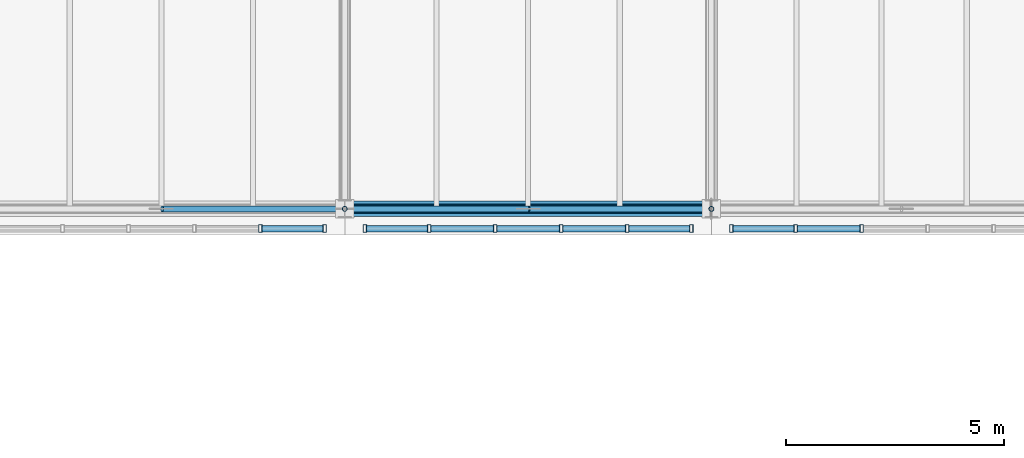
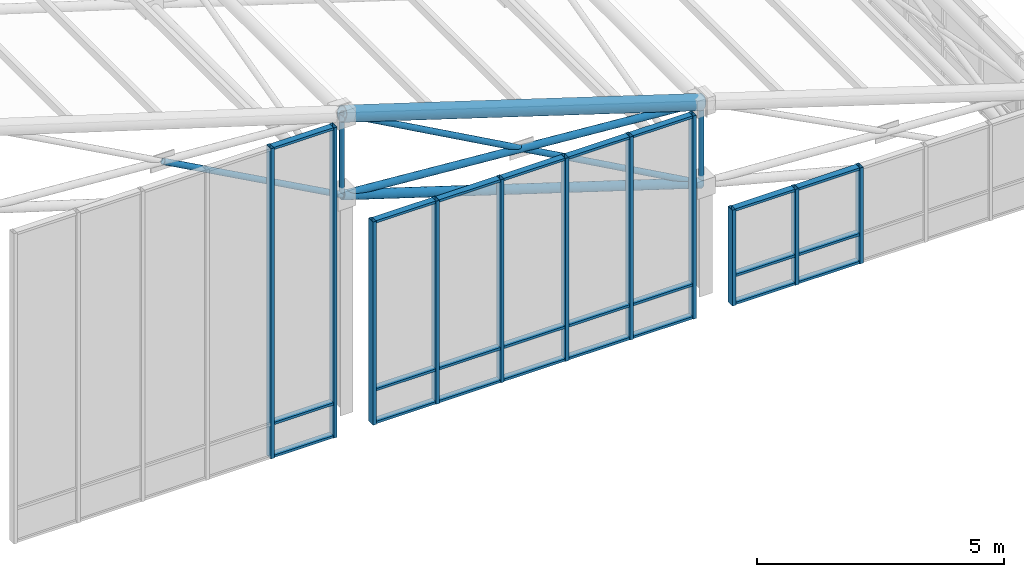
# One storey, part 24 of 144: 43 members, 3 elements without a shape of their own.
"""IFC4 building model written with IfcOpenShell, lengths in metres."""

from ifc_helpers import new_model, si_unit, direction, frame, origin, origin_2d, place, context, subcontext, project, spatial, hollow_rectangle, hollow_circle, extrude, material, layer, layer_set, material_profile, profile_set, type_object, element, aggregate, save


model = new_model("IFC4")

# Units and contexts
model_context = context("Model", 3, precision=1e-05, world=origin(), true_north=direction((0.0, 1.0)))
body_context = subcontext(model_context, "Body", "Model", "MODEL_VIEW")
ifc_project = project(units=[si_unit("LENGTHUNIT", "METRE"), si_unit("AREAUNIT", "SQUARE_METRE"), si_unit("VOLUMEUNIT", "CUBIC_METRE"), si_unit("PLANEANGLEUNIT", "RADIAN"), si_unit("MASSUNIT", "GRAM", prefix="KILO")], contexts=[model_context])

# Site, building, storey
site_placement = place(None, origin())
site = spatial("IfcSite", under=ifc_project, at=site_placement, CompositionType="ELEMENT")
building_placement = place(site_placement, origin())
building = spatial("IfcBuilding", under=site, at=building_placement, Name="Zayran Congress Hotel", CompositionType="ELEMENT")
storey_placement = place(building_placement, frame((0.0, 0.0, 19.199951171875)))
storey = spatial("IfcBuildingStorey", under=building, at=storey_placement, Name="L04", CompositionType="ELEMENT", Elevation=19.199951171875)

# Members
ifc_material_1 = material(Name="Steel S355", Category="steel")
ifc_material_profile_1 = material_profile(ifc_material_1, hollow_circle(Radius=0.177734375, WallThickness=0.01611328125, at=origin_2d()), Name="CHS 355.6x16")
ifc_profile_set_1 = profile_set([ifc_material_profile_1], Name="Steel S355")
member_type_1 = type_object("IfcMemberType", Name="TP-SF-TC1", PredefinedType="CHORD", material=ifc_profile_set_1)
member_1_placement = place(storey_placement, frame((75.60009765625, 68.199951171875, 7.302001953125), z_axis=(0.953670596398, 0.0, -0.300852777228), x_axis=(0.0, 1.0, 0.0)))
element("IfcMember", 1, at=member_1_placement, inside=storey, type_object=member_type_1, Name="Space Frame Top Chord X 437", PredefinedType="CHORD", context=body_context, shape_type="SweptSolid", body=[
    extrude(hollow_circle(Radius=0.177734375, WallThickness=0.01611328125, at=origin_2d()), origin(), (0.0, 0.0, 1.0), 8.807861328125),
])
ifc_material_profile_2 = material_profile(ifc_material_1, hollow_circle(Radius=0.109619140625, WallThickness=0.010009765625, at=origin_2d()), Name="CHS 219.1x10")
ifc_profile_set_2 = profile_set([ifc_material_profile_2], Name="Steel S355")
member_type_2 = type_object("IfcMemberType", Name="TP-SF-BC1", PredefinedType="CHORD", material=ifc_profile_set_2)
member_2_placement = place(storey_placement, frame((75.60009765625, 68.199951171875, 5.300048828125), z_axis=(0.953670596398, 0.0, -0.300852777228), x_axis=(0.0, 1.0, 0.0)))
element("IfcMember", 2, at=member_2_placement, inside=storey, type_object=member_type_2, Name="Space Frame Bottom Chord X 438", PredefinedType="CHORD", context=body_context, shape_type="SweptSolid", body=[
    extrude(hollow_circle(Radius=0.109619140625, WallThickness=0.010009765625, at=origin_2d()), origin(), (0.0, 0.0, 1.0), 8.807861328125),
])
ifc_material_profile_3 = material_profile(ifc_material_1, hollow_circle(Radius=0.084228515625, WallThickness=0.008056640625, at=origin_2d()), Name="CHS 168.3x8")
ifc_profile_set_3 = profile_set([ifc_material_profile_3], Name="Steel S355")
member_type_3 = type_object("IfcMemberType", Name="TP-SF-DG1", PredefinedType="BRACE", material=ifc_profile_set_3)
member_3_placement = place(storey_placement, frame((75.60009765625, 68.199951171875, 5.300048828125), z_axis=(0.997038098414, 0.0, -0.076909234238), x_axis=(0.0, 1.0, 0.0)))
element("IfcMember", 3, at=member_3_placement, inside=storey, type_object=member_type_3, Name="Space Frame Web Diagonal X 439", PredefinedType="BRACE", context=body_context, shape_type="SweptSolid", body=[
    extrude(hollow_circle(Radius=0.084228515625, WallThickness=0.008056640625, at=origin_2d()), origin(), (0.0, 0.0, 1.0), 8.4248046875),
])
ifc_material_profile_4 = material_profile(ifc_material_1, hollow_circle(Radius=0.06982421875, WallThickness=0.00634765625, at=origin_2d()), Name="CHS 139.7x6.3")
ifc_profile_set_4 = profile_set([ifc_material_profile_4], Name="Steel S355")
member_type_4 = type_object("IfcMemberType", Name="TP-SF-DG2", PredefinedType="BRACE", material=ifc_profile_set_4)
member_4_placement = place(storey_placement, frame((71.4130859375, 68.199951171875, 7.59375), z_axis=(0.877024445647, 0.0, -0.480445753169), x_axis=(0.0, 1.0, 0.0)))
element("IfcMember", 4, at=member_4_placement, inside=storey, type_object=member_type_4, Name="Space Frame Counter Diagonal X Lower 62", PredefinedType="BRACE", context=body_context, shape_type="SweptSolid", body=[
    extrude(hollow_circle(Radius=0.06982421875, WallThickness=0.00634765625, at=origin_2d()), origin(), (0.0, 0.0, 1.0), 4.774169921875),
])
member_5_placement = place(storey_placement, frame((75.60009765625, 68.199951171875, 7.302001953125), z_axis=(0.874810980482, 0.0, -0.484464393355), x_axis=(0.0, 1.0, 0.0)))
element("IfcMember", 5, at=member_5_placement, inside=storey, type_object=member_type_4, Name="Space Frame Counter Diagonal X Upper 440", PredefinedType="BRACE", context=body_context, shape_type="SweptSolid", body=[
    extrude(hollow_circle(Radius=0.06982421875, WallThickness=0.00634765625, at=origin_2d()), origin(), (0.0, 0.0, 1.0), 4.785888671875),
])
member_6_placement = place(storey_placement, frame((79.81298828125, 68.199951171875, 4.96875), z_axis=(0.874822952575, 0.0, -0.484442774379), x_axis=(0.0, 1.0, 0.0)))
element("IfcMember", 6, at=member_6_placement, inside=storey, type_object=member_type_4, Name="Space Frame Counter Diagonal X Lower 69", PredefinedType="BRACE", context=body_context, shape_type="SweptSolid", body=[
    extrude(hollow_circle(Radius=0.06982421875, WallThickness=0.00634765625, at=origin_2d()), origin(), (0.0, 0.0, 1.0), 4.7861328125),
])
ifc_material_profile_5 = material_profile(ifc_material_1, hollow_circle(Radius=0.05712890625, WallThickness=0.00634765625, at=origin_2d()), Name="CHS 114.3x6.3")
ifc_profile_set_5 = profile_set([ifc_material_profile_5], Name="Steel S355")
member_type_5 = type_object("IfcMemberType", Name="TP-SF-DG3", PredefinedType="BRACE", material=ifc_profile_set_5)
for number, where, z_axis, x_axis, name in (
    (7, (75.60009765625, 68.199951171875, 5.300048828125), (0.0, 0.0, 1.0), (0.0, 1.0, 0.0), "Space Frame Web Strut 444"),
    (8, (84.0, 68.199951171875, 2.650146484375), (0.0, 0.0, 1.0), (0.0, 1.0, 0.0), "Space Frame Web Strut 497"),
):
    element("IfcMember", number, at=place(storey_placement, frame(where, z_axis=z_axis, x_axis=x_axis)), inside=storey, type_object=member_type_5, Name=name, PredefinedType="BRACE", context=body_context, shape_type="SweptSolid", body=[
        extrude(hollow_circle(Radius=0.05712890625, WallThickness=0.00634765625, at=origin_2d()), origin(), (0.0, 0.0, 1.0), 2.001953125),
    ])

# Curtain wall, members
ifc_material_2 = material(Name="Anodised aluminium and low-E insulated glass", Category="aluminium")
ifc_layer_1 = layer(ifc_material_2, 0.179931640625)
ifc_layer_set_1 = layer_set([ifc_layer_1], Name="Anodised aluminium and low-E insulated glass")
curtain_wall_type_1 = type_object("IfcCurtainWallType", Name="CW-V1CL-L04-CW-12-7560-7670", PredefinedType="USERDEFINED", material=ifc_layer_set_1)
curtain_wall_1_placement = place(storey_placement, origin())
curtain_wall_1 = element("IfcCurtainWall", 9, at=curtain_wall_1_placement, inside=storey, type_object=curtain_wall_type_1, Name="CW-V1CLS-7", ObjectType="CURTAIN WALL", PredefinedType="USERDEFINED")
ifc_material_3 = material(Name="Anodised aluminium framing", Category="aluminium")
ifc_material_profile_6 = material_profile(ifc_material_3, hollow_rectangle(XDim=0.080078125, YDim=0.179931640625, WallThickness=0.0048828125, at=origin_2d()), Name="RHS 180x80x5")
ifc_profile_set_6 = profile_set([ifc_material_profile_6], Name="Anodised aluminium framing")
member_type_6 = type_object("IfcMemberType", Name="TP-CWM-01", PredefinedType="MULLION", material=ifc_profile_set_6)
member_7_placement = place(storey_placement, frame((73.66796875, 67.75, -0.219970703125), z_axis=(0.0, 0.0, 1.0), x_axis=(1.0, 0.0, 0.0)))
member_7 = element("IfcMember", 10, at=member_7_placement, type_object=member_type_6, Name="CW-V1CLS-7-M04", PredefinedType="MULLION", context=body_context, shape_type="SweptSolid", body=[
    extrude(hollow_rectangle(XDim=0.080078125, YDim=0.179931640625, WallThickness=0.0048828125, at=origin_2d()), origin(), (0.0, 0.0, 1.0), 7.669921875),
])
member_8_placement = place(storey_placement, frame((75.139892578125, 67.75, -0.219970703125), z_axis=(0.0, 0.0, 1.0), x_axis=(1.0, 0.0, 0.0)))
member_8 = element("IfcMember", 11, at=member_8_placement, type_object=member_type_6, Name="CW-V1CLS-7-M05", PredefinedType="MULLION", context=body_context, shape_type="SweptSolid", body=[
    extrude(hollow_rectangle(XDim=0.080078125, YDim=0.179931640625, WallThickness=0.0048828125, at=origin_2d()), origin(), (0.0, 0.0, 1.0), 7.669921875),
])

ifc_layer_2 = layer(ifc_material_2, 0.179931640625)
ifc_layer_set_2 = layer_set([ifc_layer_2], Name="Anodised aluminium and low-E insulated glass")
curtain_wall_type_2 = type_object("IfcCurtainWallType", Name="CW-V1CL-L04-CW-13-7560-5020", PredefinedType="USERDEFINED", material=ifc_layer_set_2)
curtain_wall_2_placement = place(storey_placement, origin())
curtain_wall_2 = element("IfcCurtainWall", 12, at=curtain_wall_2_placement, inside=storey, type_object=curtain_wall_type_2, Name="CW-V1CLS-8", ObjectType="CURTAIN WALL", PredefinedType="USERDEFINED")
member_9_placement = place(storey_placement, frame((76.06005859375, 67.75, -0.219970703125), z_axis=(0.0, 0.0, 1.0), x_axis=(1.0, 0.0, 0.0)))
member_9 = element("IfcMember", 13, at=member_9_placement, type_object=member_type_6, Name="CW-V1CLS-8-M00", PredefinedType="MULLION", context=body_context, shape_type="SweptSolid", body=[
    extrude(hollow_rectangle(XDim=0.080078125, YDim=0.179931640625, WallThickness=0.0048828125, at=origin_2d()), origin(), (0.0, 0.0, 1.0), 5.02001953125),
])
member_10_placement = place(storey_placement, frame((77.531982421875, 67.75, -0.219970703125), z_axis=(0.0, 0.0, 1.0), x_axis=(1.0, 0.0, 0.0)))
member_10 = element("IfcMember", 14, at=member_10_placement, type_object=member_type_6, Name="CW-V1CLS-8-M01", PredefinedType="MULLION", context=body_context, shape_type="SweptSolid", body=[
    extrude(hollow_rectangle(XDim=0.080078125, YDim=0.179931640625, WallThickness=0.0048828125, at=origin_2d()), origin(), (0.0, 0.0, 1.0), 5.02001953125),
])
member_11_placement = place(storey_placement, frame((79.0439453125, 67.75, -0.219970703125), z_axis=(0.0, 0.0, 1.0), x_axis=(1.0, 0.0, 0.0)))
member_11 = element("IfcMember", 15, at=member_11_placement, type_object=member_type_6, Name="CW-V1CLS-8-M02", PredefinedType="MULLION", context=body_context, shape_type="SweptSolid", body=[
    extrude(hollow_rectangle(XDim=0.080078125, YDim=0.179931640625, WallThickness=0.0048828125, at=origin_2d()), origin(), (0.0, 0.0, 1.0), 5.02001953125),
])
member_12_placement = place(storey_placement, frame((80.555908203125, 67.75, -0.219970703125), z_axis=(0.0, 0.0, 1.0), x_axis=(1.0, 0.0, 0.0)))
member_12 = element("IfcMember", 16, at=member_12_placement, type_object=member_type_6, Name="CW-V1CLS-8-M03", PredefinedType="MULLION", context=body_context, shape_type="SweptSolid", body=[
    extrude(hollow_rectangle(XDim=0.080078125, YDim=0.179931640625, WallThickness=0.0048828125, at=origin_2d()), origin(), (0.0, 0.0, 1.0), 5.02001953125),
])
member_13_placement = place(storey_placement, frame((82.068115234375, 67.75, -0.219970703125), z_axis=(0.0, 0.0, 1.0), x_axis=(1.0, 0.0, 0.0)))
member_13 = element("IfcMember", 17, at=member_13_placement, type_object=member_type_6, Name="CW-V1CLS-8-M04", PredefinedType="MULLION", context=body_context, shape_type="SweptSolid", body=[
    extrude(hollow_rectangle(XDim=0.080078125, YDim=0.179931640625, WallThickness=0.0048828125, at=origin_2d()), origin(), (0.0, 0.0, 1.0), 5.02001953125),
])
member_14_placement = place(storey_placement, frame((83.5400390625, 67.75, -0.219970703125), z_axis=(0.0, 0.0, 1.0), x_axis=(1.0, 0.0, 0.0)))
member_14 = element("IfcMember", 18, at=member_14_placement, type_object=member_type_6, Name="CW-V1CLS-8-M05", PredefinedType="MULLION", context=body_context, shape_type="SweptSolid", body=[
    extrude(hollow_rectangle(XDim=0.080078125, YDim=0.179931640625, WallThickness=0.0048828125, at=origin_2d()), origin(), (0.0, 0.0, 1.0), 5.02001953125),
])

ifc_layer_3 = layer(ifc_material_2, 0.179931640625)
ifc_layer_set_3 = layer_set([ifc_layer_3], Name="Anodised aluminium and low-E insulated glass")
curtain_wall_type_3 = type_object("IfcCurtainWallType", Name="CW-V1CL-L04-CW-11-7560-2370", PredefinedType="USERDEFINED", material=ifc_layer_set_3)
curtain_wall_3_placement = place(storey_placement, origin())
curtain_wall_3 = element("IfcCurtainWall", 19, at=curtain_wall_3_placement, inside=storey, type_object=curtain_wall_type_3, Name="CW-V1CLS-9", ObjectType="CURTAIN WALL", PredefinedType="USERDEFINED")
member_15_placement = place(storey_placement, frame((84.4599609375, 67.75, -0.219970703125), z_axis=(0.0, 0.0, 1.0), x_axis=(1.0, 0.0, 0.0)))
member_15 = element("IfcMember", 20, at=member_15_placement, type_object=member_type_6, Name="CW-V1CLS-9-M00", PredefinedType="MULLION", context=body_context, shape_type="SweptSolid", body=[
    extrude(hollow_rectangle(XDim=0.080078125, YDim=0.179931640625, WallThickness=0.0048828125, at=origin_2d()), origin(), (0.0, 0.0, 1.0), 2.3701171875),
])
member_16_placement = place(storey_placement, frame((85.931884765625, 67.75, -0.219970703125), z_axis=(0.0, 0.0, 1.0), x_axis=(1.0, 0.0, 0.0)))
member_16 = element("IfcMember", 21, at=member_16_placement, type_object=member_type_6, Name="CW-V1CLS-9-M01", PredefinedType="MULLION", context=body_context, shape_type="SweptSolid", body=[
    extrude(hollow_rectangle(XDim=0.080078125, YDim=0.179931640625, WallThickness=0.0048828125, at=origin_2d()), origin(), (0.0, 0.0, 1.0), 2.3701171875),
])
member_17_placement = place(storey_placement, frame((87.444091796875, 67.75, -0.219970703125), z_axis=(0.0, 0.0, 1.0), x_axis=(1.0, 0.0, 0.0)))
member_17 = element("IfcMember", 22, at=member_17_placement, type_object=member_type_6, Name="CW-V1CLS-9-M02", PredefinedType="MULLION", context=body_context, shape_type="SweptSolid", body=[
    extrude(hollow_rectangle(XDim=0.080078125, YDim=0.179931640625, WallThickness=0.0048828125, at=origin_2d()), origin(), (0.0, 0.0, 1.0), 2.3701171875),
])

# Member
ifc_material_profile_7 = material_profile(ifc_material_3, hollow_rectangle(XDim=0.06005859375, YDim=0.14990234375, WallThickness=0.00390625, at=origin_2d()), Name="RHS 150x60x4")
ifc_profile_set_7 = profile_set([ifc_material_profile_7], Name="Anodised aluminium framing")
member_type_7 = type_object("IfcMemberType", Name="TP-CWT-01", PredefinedType="USERDEFINED", material=ifc_profile_set_7)
member_18_placement = place(storey_placement, frame((73.7080078125, 67.75, -0.18994140625), z_axis=(1.0, 0.0, 0.0), x_axis=(0.0, 0.0, 1.0)))
member_18 = element("IfcMember", 23, at=member_18_placement, type_object=member_type_7, Name="CW-V1CLS-7-T04-0", ObjectType="TRANSOM", PredefinedType="USERDEFINED", context=body_context, shape_type="SweptSolid", body=[
    extrude(hollow_rectangle(XDim=0.06005859375, YDim=0.14990234375, WallThickness=0.00390625, at=origin_2d()), origin(), (0.0, 0.0, 1.0), 1.39208984375),
])

member_19_placement = place(storey_placement, frame((73.7080078125, 67.75, 0.6201171875), z_axis=(1.0, 0.0, 0.0), x_axis=(0.0, 0.0, 1.0)))
member_19 = element("IfcMember", 24, at=member_19_placement, type_object=member_type_7, Name="CW-V1CLS-7-T04-1", ObjectType="TRANSOM", PredefinedType="USERDEFINED", context=body_context, shape_type="SweptSolid", body=[
    extrude(hollow_rectangle(XDim=0.06005859375, YDim=0.14990234375, WallThickness=0.00390625, at=origin_2d()), origin(), (0.0, 0.0, 1.0), 1.39208984375),
])

member_20_placement = place(storey_placement, frame((73.7080078125, 67.75, 7.420166015625), z_axis=(1.0, 0.0, 0.0), x_axis=(0.0, 0.0, 1.0)))
member_20 = element("IfcMember", 25, at=member_20_placement, type_object=member_type_7, Name="CW-V1CLS-7-T04-2", ObjectType="TRANSOM", PredefinedType="USERDEFINED", context=body_context, shape_type="SweptSolid", body=[
    extrude(hollow_rectangle(XDim=0.06005859375, YDim=0.14990234375, WallThickness=0.00390625, at=origin_2d()), origin(), (0.0, 0.0, 1.0), 1.39208984375),
])

aggregate(curtain_wall_1, [member_7, member_8, member_18, member_19, member_20])

member_21_placement = place(storey_placement, frame((76.10009765625, 67.75, -0.18994140625), z_axis=(1.0, 0.0, 0.0), x_axis=(0.0, 0.0, 1.0)))
member_21 = element("IfcMember", 26, at=member_21_placement, type_object=member_type_7, Name="CW-V1CLS-8-T00-0", ObjectType="TRANSOM", PredefinedType="USERDEFINED", context=body_context, shape_type="SweptSolid", body=[
    extrude(hollow_rectangle(XDim=0.06005859375, YDim=0.14990234375, WallThickness=0.00390625, at=origin_2d()), origin(), (0.0, 0.0, 1.0), 1.391845703125),
])

member_22_placement = place(storey_placement, frame((76.10009765625, 67.75, 0.6201171875), z_axis=(1.0, 0.0, 0.0), x_axis=(0.0, 0.0, 1.0)))
member_22 = element("IfcMember", 27, at=member_22_placement, type_object=member_type_7, Name="CW-V1CLS-8-T00-1", ObjectType="TRANSOM", PredefinedType="USERDEFINED", context=body_context, shape_type="SweptSolid", body=[
    extrude(hollow_rectangle(XDim=0.06005859375, YDim=0.14990234375, WallThickness=0.00390625, at=origin_2d()), origin(), (0.0, 0.0, 1.0), 1.391845703125),
])

member_23_placement = place(storey_placement, frame((76.10009765625, 67.75, 4.77001953125), z_axis=(1.0, 0.0, 0.0), x_axis=(0.0, 0.0, 1.0)))
member_23 = element("IfcMember", 28, at=member_23_placement, type_object=member_type_7, Name="CW-V1CLS-8-T00-2", ObjectType="TRANSOM", PredefinedType="USERDEFINED", context=body_context, shape_type="SweptSolid", body=[
    extrude(hollow_rectangle(XDim=0.06005859375, YDim=0.14990234375, WallThickness=0.00390625, at=origin_2d()), origin(), (0.0, 0.0, 1.0), 1.391845703125),
])

member_24_placement = place(storey_placement, frame((77.572021484375, 67.75, -0.18994140625), z_axis=(1.0, 0.0, 0.0), x_axis=(0.0, 0.0, 1.0)))
member_24 = element("IfcMember", 29, at=member_24_placement, type_object=member_type_7, Name="CW-V1CLS-8-T01-0", ObjectType="TRANSOM", PredefinedType="USERDEFINED", context=body_context, shape_type="SweptSolid", body=[
    extrude(hollow_rectangle(XDim=0.06005859375, YDim=0.14990234375, WallThickness=0.00390625, at=origin_2d()), origin(), (0.0, 0.0, 1.0), 1.431884765625),
])

member_25_placement = place(storey_placement, frame((77.572021484375, 67.75, 0.6201171875), z_axis=(1.0, 0.0, 0.0), x_axis=(0.0, 0.0, 1.0)))
member_25 = element("IfcMember", 30, at=member_25_placement, type_object=member_type_7, Name="CW-V1CLS-8-T01-1", ObjectType="TRANSOM", PredefinedType="USERDEFINED", context=body_context, shape_type="SweptSolid", body=[
    extrude(hollow_rectangle(XDim=0.06005859375, YDim=0.14990234375, WallThickness=0.00390625, at=origin_2d()), origin(), (0.0, 0.0, 1.0), 1.431884765625),
])

member_26_placement = place(storey_placement, frame((77.572021484375, 67.75, 4.77001953125), z_axis=(1.0, 0.0, 0.0), x_axis=(0.0, 0.0, 1.0)))
member_26 = element("IfcMember", 31, at=member_26_placement, type_object=member_type_7, Name="CW-V1CLS-8-T01-2", ObjectType="TRANSOM", PredefinedType="USERDEFINED", context=body_context, shape_type="SweptSolid", body=[
    extrude(hollow_rectangle(XDim=0.06005859375, YDim=0.14990234375, WallThickness=0.00390625, at=origin_2d()), origin(), (0.0, 0.0, 1.0), 1.431884765625),
])

member_27_placement = place(storey_placement, frame((79.083984375, 67.75, -0.18994140625), z_axis=(1.0, 0.0, 0.0), x_axis=(0.0, 0.0, 1.0)))
member_27 = element("IfcMember", 32, at=member_27_placement, type_object=member_type_7, Name="CW-V1CLS-8-T02-0", ObjectType="TRANSOM", PredefinedType="USERDEFINED", context=body_context, shape_type="SweptSolid", body=[
    extrude(hollow_rectangle(XDim=0.06005859375, YDim=0.14990234375, WallThickness=0.00390625, at=origin_2d()), origin(), (0.0, 0.0, 1.0), 1.43212890625),
])

member_28_placement = place(storey_placement, frame((79.083984375, 67.75, 0.6201171875), z_axis=(1.0, 0.0, 0.0), x_axis=(0.0, 0.0, 1.0)))
member_28 = element("IfcMember", 33, at=member_28_placement, type_object=member_type_7, Name="CW-V1CLS-8-T02-1", ObjectType="TRANSOM", PredefinedType="USERDEFINED", context=body_context, shape_type="SweptSolid", body=[
    extrude(hollow_rectangle(XDim=0.06005859375, YDim=0.14990234375, WallThickness=0.00390625, at=origin_2d()), origin(), (0.0, 0.0, 1.0), 1.43212890625),
])

member_29_placement = place(storey_placement, frame((79.083984375, 67.75, 4.77001953125), z_axis=(1.0, 0.0, 0.0), x_axis=(0.0, 0.0, 1.0)))
member_29 = element("IfcMember", 34, at=member_29_placement, type_object=member_type_7, Name="CW-V1CLS-8-T02-2", ObjectType="TRANSOM", PredefinedType="USERDEFINED", context=body_context, shape_type="SweptSolid", body=[
    extrude(hollow_rectangle(XDim=0.06005859375, YDim=0.14990234375, WallThickness=0.00390625, at=origin_2d()), origin(), (0.0, 0.0, 1.0), 1.43212890625),
])

member_30_placement = place(storey_placement, frame((80.595947265625, 67.75, -0.18994140625), z_axis=(1.0, 0.0, 0.0), x_axis=(0.0, 0.0, 1.0)))
member_30 = element("IfcMember", 35, at=member_30_placement, type_object=member_type_7, Name="CW-V1CLS-8-T03-0", ObjectType="TRANSOM", PredefinedType="USERDEFINED", context=body_context, shape_type="SweptSolid", body=[
    extrude(hollow_rectangle(XDim=0.06005859375, YDim=0.14990234375, WallThickness=0.00390625, at=origin_2d()), origin(), (0.0, 0.0, 1.0), 1.43212890625),
])

member_31_placement = place(storey_placement, frame((80.595947265625, 67.75, 0.6201171875), z_axis=(1.0, 0.0, 0.0), x_axis=(0.0, 0.0, 1.0)))
member_31 = element("IfcMember", 36, at=member_31_placement, type_object=member_type_7, Name="CW-V1CLS-8-T03-1", ObjectType="TRANSOM", PredefinedType="USERDEFINED", context=body_context, shape_type="SweptSolid", body=[
    extrude(hollow_rectangle(XDim=0.06005859375, YDim=0.14990234375, WallThickness=0.00390625, at=origin_2d()), origin(), (0.0, 0.0, 1.0), 1.43212890625),
])

member_32_placement = place(storey_placement, frame((80.595947265625, 67.75, 4.77001953125), z_axis=(1.0, 0.0, 0.0), x_axis=(0.0, 0.0, 1.0)))
member_32 = element("IfcMember", 37, at=member_32_placement, type_object=member_type_7, Name="CW-V1CLS-8-T03-2", ObjectType="TRANSOM", PredefinedType="USERDEFINED", context=body_context, shape_type="SweptSolid", body=[
    extrude(hollow_rectangle(XDim=0.06005859375, YDim=0.14990234375, WallThickness=0.00390625, at=origin_2d()), origin(), (0.0, 0.0, 1.0), 1.43212890625),
])

member_33_placement = place(storey_placement, frame((82.10791015625, 67.75, -0.18994140625), z_axis=(1.0, 0.0, 0.0), x_axis=(0.0, 0.0, 1.0)))
member_33 = element("IfcMember", 38, at=member_33_placement, type_object=member_type_7, Name="CW-V1CLS-8-T04-0", ObjectType="TRANSOM", PredefinedType="USERDEFINED", context=body_context, shape_type="SweptSolid", body=[
    extrude(hollow_rectangle(XDim=0.06005859375, YDim=0.14990234375, WallThickness=0.00390625, at=origin_2d()), origin(), (0.0, 0.0, 1.0), 1.39208984375),
])

member_34_placement = place(storey_placement, frame((82.10791015625, 67.75, 0.6201171875), z_axis=(1.0, 0.0, 0.0), x_axis=(0.0, 0.0, 1.0)))
member_34 = element("IfcMember", 39, at=member_34_placement, type_object=member_type_7, Name="CW-V1CLS-8-T04-1", ObjectType="TRANSOM", PredefinedType="USERDEFINED", context=body_context, shape_type="SweptSolid", body=[
    extrude(hollow_rectangle(XDim=0.06005859375, YDim=0.14990234375, WallThickness=0.00390625, at=origin_2d()), origin(), (0.0, 0.0, 1.0), 1.39208984375),
])

member_35_placement = place(storey_placement, frame((82.10791015625, 67.75, 4.77001953125), z_axis=(1.0, 0.0, 0.0), x_axis=(0.0, 0.0, 1.0)))
member_35 = element("IfcMember", 40, at=member_35_placement, type_object=member_type_7, Name="CW-V1CLS-8-T04-2", ObjectType="TRANSOM", PredefinedType="USERDEFINED", context=body_context, shape_type="SweptSolid", body=[
    extrude(hollow_rectangle(XDim=0.06005859375, YDim=0.14990234375, WallThickness=0.00390625, at=origin_2d()), origin(), (0.0, 0.0, 1.0), 1.39208984375),
])

aggregate(curtain_wall_2, [member_9, member_10, member_11, member_12, member_13, member_14, member_21, member_22, member_23, member_24, member_25, member_26, member_27, member_28, member_29, member_30, member_31, member_32, member_33, member_34, member_35])

member_36_placement = place(storey_placement, frame((84.5, 67.75, -0.18994140625), z_axis=(1.0, 0.0, 0.0), x_axis=(0.0, 0.0, 1.0)))
member_36 = element("IfcMember", 41, at=member_36_placement, type_object=member_type_7, Name="CW-V1CLS-9-T00-0", ObjectType="TRANSOM", PredefinedType="USERDEFINED", context=body_context, shape_type="SweptSolid", body=[
    extrude(hollow_rectangle(XDim=0.06005859375, YDim=0.14990234375, WallThickness=0.00390625, at=origin_2d()), origin(), (0.0, 0.0, 1.0), 1.39208984375),
])

member_37_placement = place(storey_placement, frame((84.5, 67.75, 0.5), z_axis=(1.0, 0.0, 0.0), x_axis=(0.0, 0.0, 1.0)))
member_37 = element("IfcMember", 42, at=member_37_placement, type_object=member_type_7, Name="CW-V1CLS-9-T00-1", ObjectType="TRANSOM", PredefinedType="USERDEFINED", context=body_context, shape_type="SweptSolid", body=[
    extrude(hollow_rectangle(XDim=0.06005859375, YDim=0.14990234375, WallThickness=0.00390625, at=origin_2d()), origin(), (0.0, 0.0, 1.0), 1.39208984375),
])

member_38_placement = place(storey_placement, frame((84.5, 67.75, 2.1201171875), z_axis=(1.0, 0.0, 0.0), x_axis=(0.0, 0.0, 1.0)))
member_38 = element("IfcMember", 43, at=member_38_placement, type_object=member_type_7, Name="CW-V1CLS-9-T00-2", ObjectType="TRANSOM", PredefinedType="USERDEFINED", context=body_context, shape_type="SweptSolid", body=[
    extrude(hollow_rectangle(XDim=0.06005859375, YDim=0.14990234375, WallThickness=0.00390625, at=origin_2d()), origin(), (0.0, 0.0, 1.0), 1.39208984375),
])

member_39_placement = place(storey_placement, frame((85.971923828125, 67.75, -0.18994140625), z_axis=(1.0, 0.0, 0.0), x_axis=(0.0, 0.0, 1.0)))
member_39 = element("IfcMember", 44, at=member_39_placement, type_object=member_type_7, Name="CW-V1CLS-9-T01-0", ObjectType="TRANSOM", PredefinedType="USERDEFINED", context=body_context, shape_type="SweptSolid", body=[
    extrude(hollow_rectangle(XDim=0.06005859375, YDim=0.14990234375, WallThickness=0.00390625, at=origin_2d()), origin(), (0.0, 0.0, 1.0), 1.43212890625),
])

member_40_placement = place(storey_placement, frame((85.971923828125, 67.75, 0.5), z_axis=(1.0, 0.0, 0.0), x_axis=(0.0, 0.0, 1.0)))
member_40 = element("IfcMember", 45, at=member_40_placement, type_object=member_type_7, Name="CW-V1CLS-9-T01-1", ObjectType="TRANSOM", PredefinedType="USERDEFINED", context=body_context, shape_type="SweptSolid", body=[
    extrude(hollow_rectangle(XDim=0.06005859375, YDim=0.14990234375, WallThickness=0.00390625, at=origin_2d()), origin(), (0.0, 0.0, 1.0), 1.43212890625),
])

member_41_placement = place(storey_placement, frame((85.971923828125, 67.75, 2.1201171875), z_axis=(1.0, 0.0, 0.0), x_axis=(0.0, 0.0, 1.0)))
member_41 = element("IfcMember", 46, at=member_41_placement, type_object=member_type_7, Name="CW-V1CLS-9-T01-2", ObjectType="TRANSOM", PredefinedType="USERDEFINED", context=body_context, shape_type="SweptSolid", body=[
    extrude(hollow_rectangle(XDim=0.06005859375, YDim=0.14990234375, WallThickness=0.00390625, at=origin_2d()), origin(), (0.0, 0.0, 1.0), 1.43212890625),
])

aggregate(curtain_wall_3, [member_15, member_16, member_17, member_36, member_37, member_38, member_39, member_40, member_41])

save(model, "model.ifc")
